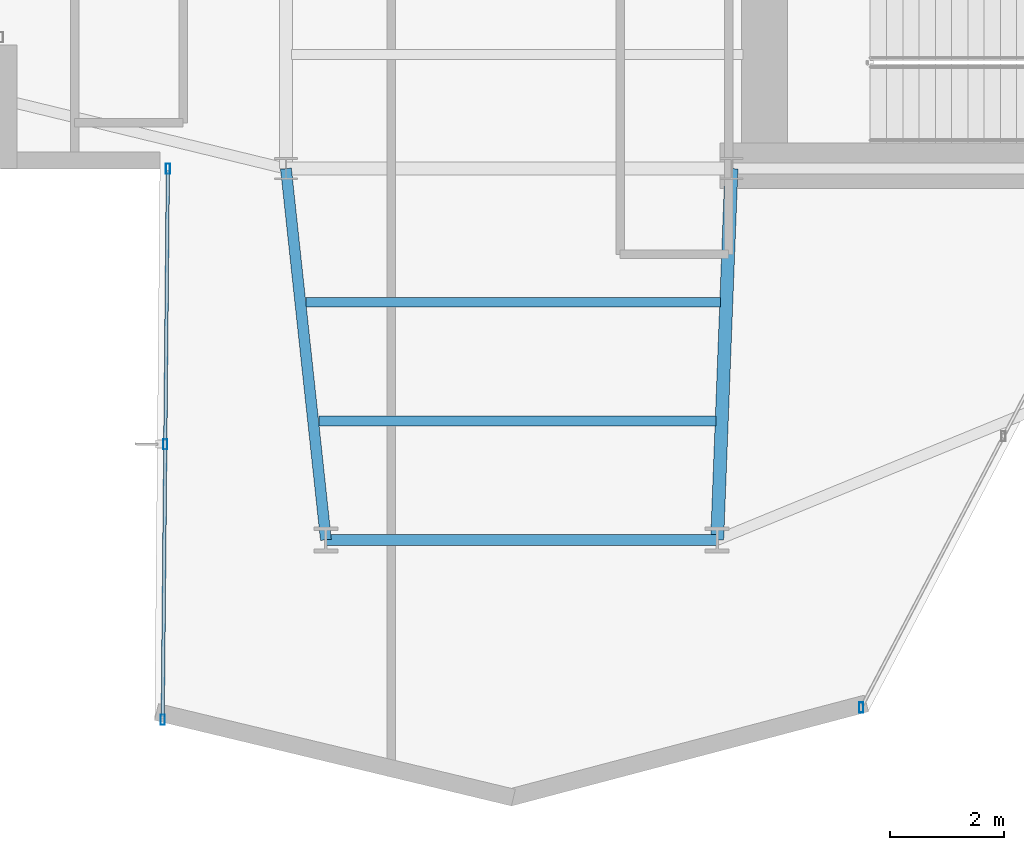
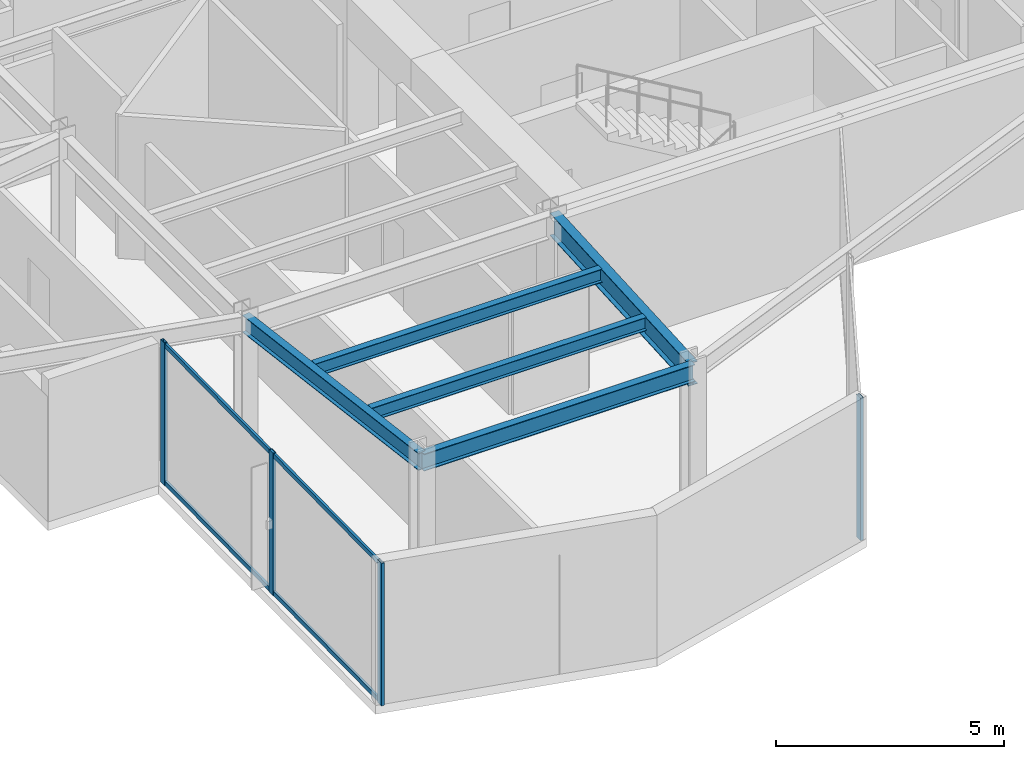
# One storey, part 4 of 25: 6 members, 5 beams, 2 elements without a shape of their own.
"""IFC4 building model written with IfcOpenShell, lengths in metres."""

from ifc_helpers import new_model, si_unit, direction, frame, origin, origin_2d, place, context, subcontext, project, spatial, hollow_rectangle, i_section, extrude, material, layer, layer_set, material_profile, profile_set, type_object, element, aggregate, save


model = new_model("IFC4")

# Units and contexts
model_context = context("Model", 3, precision=1e-05, world=origin(), true_north=direction((0.0, 1.0)))
body_context = subcontext(model_context, "Body", "Model", "MODEL_VIEW")
ifc_project = project(units=[si_unit("LENGTHUNIT", "METRE"), si_unit("AREAUNIT", "SQUARE_METRE"), si_unit("VOLUMEUNIT", "CUBIC_METRE"), si_unit("PLANEANGLEUNIT", "RADIAN"), si_unit("MASSUNIT", "GRAM", prefix="KILO")], contexts=[model_context])

# Site, building, storey
site_placement = place(None, origin())
site = spatial("IfcSite", under=ifc_project, at=site_placement, CompositionType="ELEMENT")
building_placement = place(site_placement, origin())
building = spatial("IfcBuilding", under=site, at=building_placement, Name="Veymaron Broadcast Tower", CompositionType="ELEMENT")
storey_placement = place(building_placement, frame((0.0, 0.0, 141.14990234375)))
storey = spatial("IfcBuildingStorey", under=building, at=storey_placement, Name="L32", CompositionType="ELEMENT", Elevation=141.14990234375)

# Beams
ifc_material_1 = material(Name="Structural steel ASTM A992 Gr 50", Category="steel")
ifc_material_profile_1 = material_profile(ifc_material_1, i_section(OverallWidth=0.22802734375, OverallDepth=0.60791015625, WebThickness=0.01123046875, FlangeThickness=0.017333984375, at=origin_2d()), Name="W610X113")
ifc_profile_set_1 = profile_set([ifc_material_profile_1], Name="Structural steel ASTM A992 Gr 50")
beam_type_1 = type_object("IfcBeamType", Name="BM-FG2", PredefinedType="BEAM", material=ifc_profile_set_1)
beam_1_placement = place(storey_placement, frame((39.0, 16.0, 3.506103515625), z_axis=(-0.038433122101, -0.999261174631, 0.0), x_axis=(0.999261174631, -0.038433122101, 0.0)))
element("IfcBeam", 1, at=beam_1_placement, inside=storey, type_object=beam_type_1, Name="L32 primary structural floor girder", PredefinedType="BEAM", context=body_context, shape_type="SweptSolid", body=[
    extrude(i_section(OverallWidth=0.22802734375, OverallDepth=0.60791015625, WebThickness=0.01123046875, FlangeThickness=0.017333984375, at=origin_2d()), origin(), (0.0, 0.0, 1.0), 6.5048828125),
])
ifc_material_profile_2 = material_profile(ifc_material_1, i_section(OverallWidth=0.1708984375, OverallDepth=0.35498046875, WebThickness=0.007080078125, FlangeThickness=0.01171875, at=origin_2d()), Name="W360X51")
ifc_profile_set_2 = profile_set([ifc_material_profile_2], Name="Structural steel ASTM A992 Gr 50")
beam_type_2 = type_object("IfcBeamType", Name="BM-JS2", PredefinedType="JOIST", material=ifc_profile_set_2)
beam_2_placement = place(storey_placement, frame((31.552001953125, 13.659912109375, 3.632568359375), z_axis=(1.0, 0.0, 0.0), x_axis=(0.0, 1.0, 0.0)))
element("IfcBeam", 2, at=beam_2_placement, inside=storey, type_object=beam_type_2, Name="L32 Arm-C secondary joist 1", PredefinedType="JOIST", context=body_context, shape_type="SweptSolid", body=[
    extrude(i_section(OverallWidth=0.1708984375, OverallDepth=0.35498046875, WebThickness=0.007080078125, FlangeThickness=0.01171875, at=origin_2d()), origin(), (0.0, 0.0, 1.0), 7.258056640625),
])
beam_3_placement = place(storey_placement, frame((31.77587890625, 11.580078125, 3.632568359375), z_axis=(1.0, 0.0, 0.0), x_axis=(0.0, 1.0, 0.0)))
element("IfcBeam", 3, at=beam_3_placement, inside=storey, type_object=beam_type_2, Name="L32 Arm-C secondary joist 2", PredefinedType="JOIST", context=body_context, shape_type="SweptSolid", body=[
    extrude(i_section(OverallWidth=0.1708984375, OverallDepth=0.35498046875, WebThickness=0.007080078125, FlangeThickness=0.01171875, at=origin_2d()), origin(), (0.0, 0.0, 1.0), 6.9541015625),
])
ifc_material_profile_3 = material_profile(ifc_material_1, i_section(OverallWidth=0.19091796875, OverallDepth=0.4599609375, WebThickness=0.010009765625, FlangeThickness=0.01611328125, at=origin_2d()), Name="W460X82")
ifc_profile_set_3 = profile_set([ifc_material_profile_3], Name="Structural steel ASTM A992 Gr 50")
beam_type_3 = type_object("IfcBeamType", Name="BM-SP1", PredefinedType="SPANDREL", material=ifc_profile_set_3)
beam_4_placement = place(storey_placement, frame((31.199951171875, 16.0, 3.580078125), z_axis=(0.107065816505, -0.994251935344, 0.0), x_axis=(0.994251935344, 0.107065816505, 0.0)))
element("IfcBeam", 4, at=beam_4_placement, inside=storey, type_object=beam_type_3, Name="L32 primary structural floor girder", PredefinedType="SPANDREL", context=body_context, shape_type="SweptSolid", body=[
    extrude(i_section(OverallWidth=0.19091796875, OverallDepth=0.4599609375, WebThickness=0.010009765625, FlangeThickness=0.01611328125, at=origin_2d()), origin(), (0.0, 0.0, 1.0), 6.53759765625),
])
beam_5_placement = place(storey_placement, frame((31.89990234375, 9.5, 3.580078125), z_axis=(1.0, 0.0, 0.0), x_axis=(0.0, 1.0, 0.0)))
element("IfcBeam", 5, at=beam_5_placement, inside=storey, type_object=beam_type_3, Name="L32 primary structural floor girder", PredefinedType="SPANDREL", context=body_context, shape_type="SweptSolid", body=[
    extrude(i_section(OverallWidth=0.19091796875, OverallDepth=0.4599609375, WebThickness=0.010009765625, FlangeThickness=0.01611328125, at=origin_2d()), origin(), (0.0, 0.0, 1.0), 6.85009765625),
])

# Curtain wall, members
ifc_material_2 = material(Name="Anodised aluminium AA 6063-T6 and laminated low-E dark glass", Category="aluminium")
ifc_layer = layer(ifc_material_2, 0.179931640625)
ifc_layer_set = layer_set([ifc_layer], Name="Anodised aluminium AA 6063-T6 and laminated low-E dark glass")
curtain_wall_type = type_object("IfcCurtainWallType", Name="CW-SYS-03", PredefinedType="NOTDEFINED", material=ifc_layer_set)
curtain_wall_1_placement = place(storey_placement, origin())
curtain_wall_1 = element("IfcCurtainWall", 6, at=curtain_wall_1_placement, inside=storey, type_object=curtain_wall_type, Name="L32 dark-glass curtain wall CW-L32-E17-1", PredefinedType="NOTDEFINED")
ifc_material_3 = material(Name="Anodised aluminium AA 6063-T6", Category="aluminium")
ifc_material_profile_4 = material_profile(ifc_material_3, hollow_rectangle(XDim=0.074951171875, YDim=0.179931640625, WallThickness=0.0048828125, at=origin_2d()), Name="AL180X75X5")
ifc_profile_set_4 = profile_set([ifc_material_profile_4], Name="Anodised aluminium AA 6063-T6")
member_type_1 = type_object("IfcMemberType", Name="CW-MUL-02", PredefinedType="MULLION", material=ifc_profile_set_4)
member_1_placement = place(storey_placement, frame((29.132568359375, 15.998779296875, 0.0), z_axis=(0.0, 0.0, 1.0), x_axis=(1.0, 0.0, 0.0)))
member_1 = element("IfcMember", 7, at=member_1_placement, type_object=member_type_1, Name="CW-L32-E17-1 mullion 0", PredefinedType="MULLION", context=body_context, shape_type="SweptSolid", body=[
    extrude(hollow_rectangle(XDim=0.074951171875, YDim=0.179931640625, WallThickness=0.0048828125, at=origin_2d()), origin(), (0.0, 0.0, 1.0), 3.81005859375),
])
member_2_placement = place(storey_placement, frame((29.08740234375, 11.173583984375, 0.0), z_axis=(0.0, 0.0, 1.0), x_axis=(1.0, 0.0, 0.0)))
member_2 = element("IfcMember", 8, at=member_2_placement, type_object=member_type_1, Name="CW-L32-E17-1 mullion 1", PredefinedType="MULLION", context=body_context, shape_type="SweptSolid", body=[
    extrude(hollow_rectangle(XDim=0.074951171875, YDim=0.179931640625, WallThickness=0.0048828125, at=origin_2d()), origin(), (0.0, 0.0, 1.0), 3.81005859375),
])
member_3_placement = place(storey_placement, frame((29.042236328125, 6.3486328125, 0.0), z_axis=(0.0, 0.0, 1.0), x_axis=(1.0, 0.0, 0.0)))
member_3 = element("IfcMember", 9, at=member_3_placement, type_object=member_type_1, Name="CW-L32-E17-1 mullion 2", PredefinedType="MULLION", context=body_context, shape_type="SweptSolid", body=[
    extrude(hollow_rectangle(XDim=0.074951171875, YDim=0.179931640625, WallThickness=0.0048828125, at=origin_2d()), origin(), (0.0, 0.0, 1.0), 3.81005859375),
])

# Curtain wall, member
curtain_wall_2_placement = place(storey_placement, origin())
curtain_wall_2 = element("IfcCurtainWall", 10, at=curtain_wall_2_placement, inside=storey, type_object=curtain_wall_type, Name="L32 dark-glass curtain wall CW-L32-E20-1", PredefinedType="NOTDEFINED")
member_4_placement = place(storey_placement, frame((41.273681640625, 6.56494140625, 0.0), z_axis=(0.0, 0.0, 1.0), x_axis=(1.0, 0.0, 0.0)))
member_4 = element("IfcMember", 11, at=member_4_placement, type_object=member_type_1, Name="CW-L32-E20-1 mullion 0", PredefinedType="MULLION", context=body_context, shape_type="SweptSolid", body=[
    extrude(hollow_rectangle(XDim=0.074951171875, YDim=0.179931640625, WallThickness=0.0048828125, at=origin_2d()), origin(), (0.0, 0.0, 1.0), 3.81005859375),
])
aggregate(curtain_wall_2, [member_4])

# Member
ifc_material_profile_5 = material_profile(ifc_material_3, hollow_rectangle(XDim=0.06005859375, YDim=0.1201171875, WallThickness=0.00390625, at=origin_2d()), Name="AL120X60X4")
ifc_profile_set_5 = profile_set([ifc_material_profile_5], Name="Anodised aluminium AA 6063-T6")
member_type_2 = type_object("IfcMemberType", Name="CW-TRN-02", PredefinedType="USERDEFINED", material=ifc_profile_set_5)
member_5_placement = place(storey_placement, frame((29.132080078125, 15.94873046875, 0.070068359375), z_axis=(-0.009356136215, -0.9999562304, 0.0), x_axis=(0.9999562304, -0.009356136215, 0.0)))
member_5 = element("IfcMember", 12, at=member_5_placement, type_object=member_type_2, Name="CW-L32-E17-1 transom B", ObjectType="TRANSOM", PredefinedType="USERDEFINED", context=body_context, shape_type="SweptSolid", body=[
    extrude(hollow_rectangle(XDim=0.06005859375, YDim=0.1201171875, WallThickness=0.00390625, at=origin_2d()), origin(), (0.0, 0.0, 1.0), 9.550537109375),
])

member_6_placement = place(storey_placement, frame((29.132080078125, 15.94873046875, 3.739990234375), z_axis=(-0.009356136215, -0.9999562304, 0.0), x_axis=(0.9999562304, -0.009356136215, 0.0)))
member_6 = element("IfcMember", 13, at=member_6_placement, type_object=member_type_2, Name="CW-L32-E17-1 transom T", ObjectType="TRANSOM", PredefinedType="USERDEFINED", context=body_context, shape_type="SweptSolid", body=[
    extrude(hollow_rectangle(XDim=0.06005859375, YDim=0.1201171875, WallThickness=0.00390625, at=origin_2d()), origin(), (0.0, 0.0, 1.0), 9.550537109375),
])

aggregate(curtain_wall_1, [member_1, member_2, member_3, member_5, member_6])

save(model, "model.ifc")
